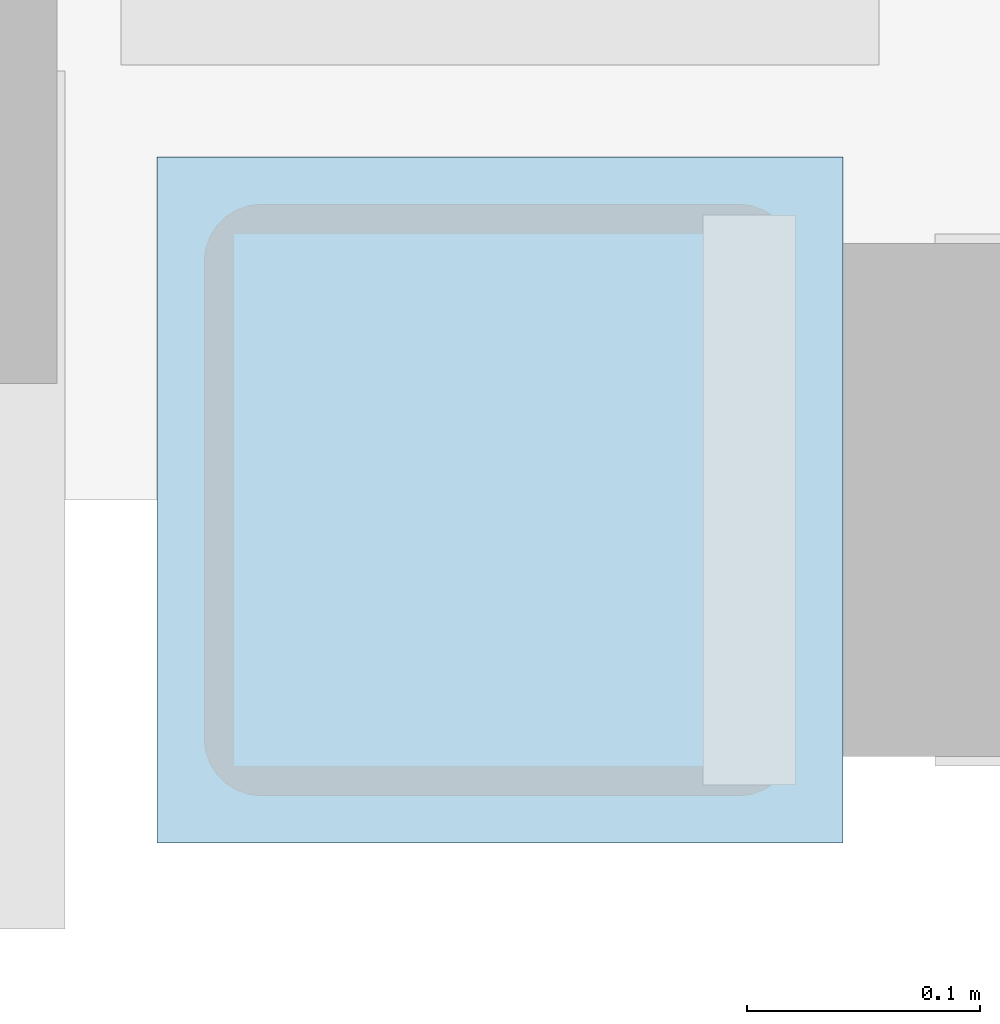
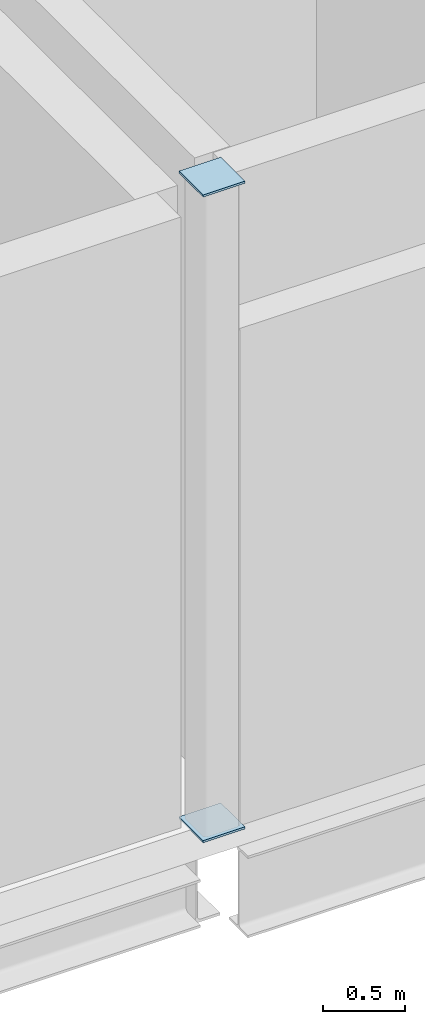
# One storey, part 45 of 72: 2 plates.
"""IFC4 building model written with IfcOpenShell, lengths in metres."""

from ifc_helpers import new_model, si_unit, direction, frame, origin, origin_2d, place, context, subcontext, project, spatial, rectangle, extrude, material, layer, layer_set, type_object, element, save


model = new_model("IFC4")

# Units and contexts
model_context = context("Model", 3, precision=1e-05, world=origin(), true_north=direction((0.0, 1.0)))
body_context = subcontext(model_context, "Body", "Model", "MODEL_VIEW")
ifc_project = project(units=[si_unit("LENGTHUNIT", "METRE"), si_unit("AREAUNIT", "SQUARE_METRE"), si_unit("VOLUMEUNIT", "CUBIC_METRE"), si_unit("PLANEANGLEUNIT", "RADIAN"), si_unit("MASSUNIT", "GRAM", prefix="KILO")], contexts=[model_context])

# Site, building, storey
site_placement = place(None, origin())
site = spatial("IfcSite", under=ifc_project, at=site_placement, CompositionType="ELEMENT")
building_placement = place(site_placement, origin())
building = spatial("IfcBuilding", under=site, at=building_placement, Name="Calvrana Isthmian Art Gallery", CompositionType="ELEMENT")
storey_placement = place(building_placement, frame((0.0, 0.0, 15.0)))
storey = spatial("IfcBuildingStorey", under=building, at=storey_placement, Name="L03", CompositionType="ELEMENT", Elevation=15.0)

# Plates
ifc_material = material(Name="Steel ASTM A572 Gr 50", Category="steel")
ifc_layer = layer(ifc_material, 0.01611328125, Name="Steel ASTM A572 Gr 50")
ifc_layer_set = layer_set([ifc_layer], Name="Steel ASTM A572 Gr 50")
plate_type = type_object("IfcPlateType", Name="PL-CAP-16", PredefinedType="SHEET", material=ifc_layer_set)
for number, where, z_axis, x_axis, name in (
    (1, (112.800048828125, 76.800048828125, -0.008056640625), (0.0, 0.0, 1.0), (1.0, 0.0, 0.0), "Hollow section end cap plate 269"),
    (2, (112.800048828125, 76.800048828125, 4.7919921875), (0.0, 0.0, 1.0), (1.0, 0.0, 0.0), "Hollow section end cap plate 270"),
):
    element("IfcPlate", number, at=place(storey_placement, frame(where, z_axis=z_axis, x_axis=x_axis)), inside=storey, type_object=plate_type, Name=name, PredefinedType="SHEET", context=body_context, shape_type="SweptSolid", body=[
        extrude(rectangle(XDim=0.2939453125, YDim=0.2939453125, at=origin_2d()), origin(), (0.0, 0.0, 1.0), 0.01611328125),
    ])

save(model, "model.ifc")
